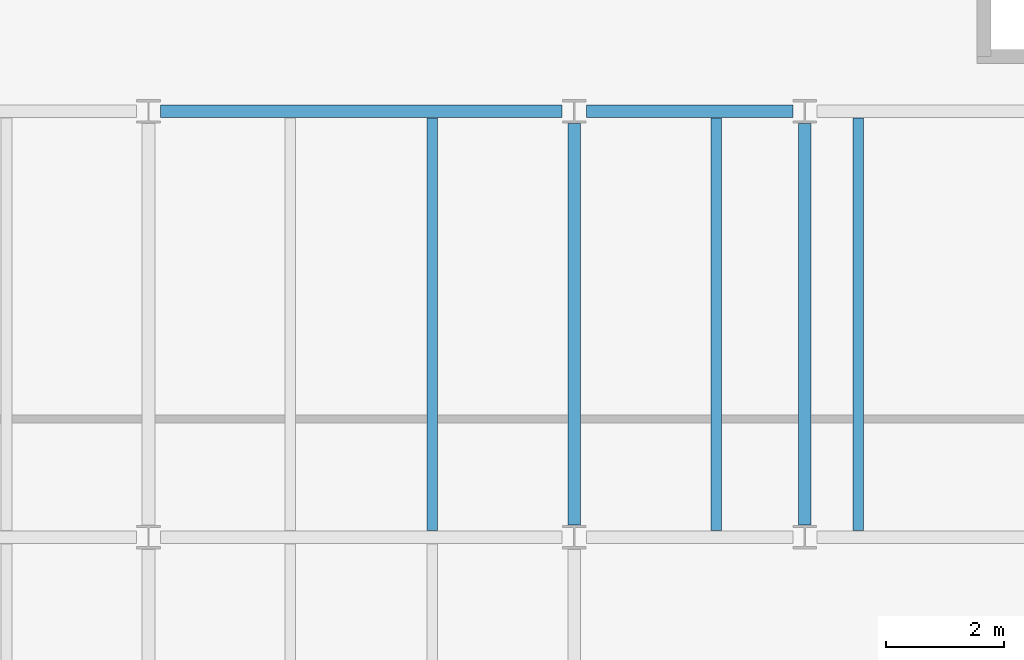
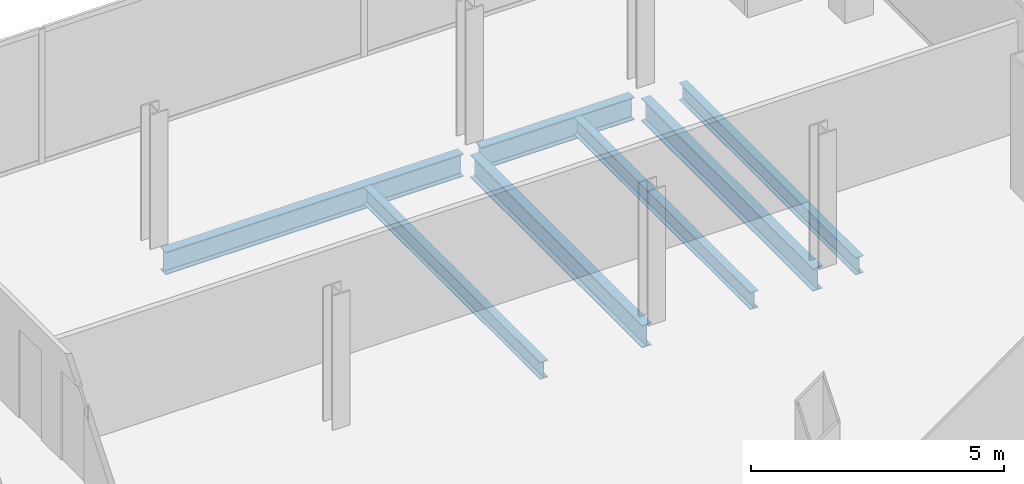
# One storey, part 15 of 23: 7 beams.
"""IFC4 building model written with IfcOpenShell, lengths in metres."""

from ifc_helpers import new_model, si_unit, direction, frame, origin, origin_2d, place, context, subcontext, project, spatial, i_section, extrude, material, material_profile, profile_set, type_object, element, save


model = new_model("IFC4")

# Units and contexts
model_context = context("Model", 3, precision=1e-05, world=origin(), true_north=direction((0.0, 1.0)))
body_context = subcontext(model_context, "Body", "Model", "MODEL_VIEW")
ifc_project = project(units=[si_unit("LENGTHUNIT", "METRE"), si_unit("AREAUNIT", "SQUARE_METRE"), si_unit("VOLUMEUNIT", "CUBIC_METRE"), si_unit("PLANEANGLEUNIT", "RADIAN"), si_unit("MASSUNIT", "GRAM", prefix="KILO")], contexts=[model_context])

# Site, building, storey
site_placement = place(None, origin())
site = spatial("IfcSite", under=ifc_project, at=site_placement, CompositionType="ELEMENT")
building_placement = place(site_placement, origin())
building = spatial("IfcBuilding", under=site, at=building_placement, Name="Cobrela Telecom Tower", CompositionType="ELEMENT")
storey_placement = place(building_placement, frame((0.0, 0.0, 258.64990234375)))
storey = spatial("IfcBuildingStorey", under=building, at=storey_placement, Name="L67", CompositionType="ELEMENT", Elevation=258.64990234375)

# Beams
ifc_material = material(Name="Steel ASTM A992 Grade 50", Category="steel")
ifc_material_profile_1 = material_profile(ifc_material, i_section(OverallWidth=0.212890625, OverallDepth=0.549072265625, WebThickness=0.0146484375, FlangeThickness=0.023681640625, FilletRadius=0.013916015625, at=origin_2d()), Name="W21X93")
ifc_profile_set_1 = profile_set([ifc_material_profile_1], Name="Steel ASTM A992 Grade 50")
beam_type_1 = type_object("IfcBeamType", Name="BM-GIRD-08", PredefinedType="USERDEFINED", material=ifc_profile_set_1)
beam_1_placement = place(storey_placement, frame((29.00439453125, 21.60009765625, -0.534423828125), z_axis=(1.0, 0.0, 0.0), x_axis=(0.0, 1.0, 0.0)))
element("IfcBeam", 1, at=beam_1_placement, inside=storey, type_object=beam_type_1, Name="L67 Primary Girder X12", ObjectType="GIRDER", PredefinedType="USERDEFINED", context=body_context, shape_type="SweptSolid", body=[
    extrude(i_section(OverallWidth=0.212890625, OverallDepth=0.549072265625, WebThickness=0.0146484375, FlangeThickness=0.023681640625, FilletRadius=0.013916015625, at=origin_2d()), origin(), (0.0, 0.0, 1.0), 6.791015625),
])
beam_2_placement = place(storey_placement, frame((36.20458984375, 21.60009765625, -0.534423828125), z_axis=(1.0, 0.0, 0.0), x_axis=(0.0, 1.0, 0.0)))
element("IfcBeam", 2, at=beam_2_placement, inside=storey, type_object=beam_type_1, Name="L67 Primary Girder X13", ObjectType="GIRDER", PredefinedType="USERDEFINED", context=body_context, shape_type="SweptSolid", body=[
    extrude(i_section(OverallWidth=0.212890625, OverallDepth=0.549072265625, WebThickness=0.0146484375, FlangeThickness=0.023681640625, FilletRadius=0.013916015625, at=origin_2d()), origin(), (0.0, 0.0, 1.0), 3.490966796875),
])
for number, where, z_axis, x_axis, name in (
    (3, (36.0, 14.6044921875, -0.534423828125), (0.0, 1.0, 0.0), (-1.0, 0.0, 0.0), "L67 Primary Girder Y32"),
    (4, (39.89990234375, 14.6044921875, -0.534423828125), (0.0, 1.0, 0.0), (-1.0, 0.0, 0.0), "L67 Primary Girder Y33"),
):
    element("IfcBeam", number, at=place(storey_placement, frame(where, z_axis=z_axis, x_axis=x_axis)), inside=storey, type_object=beam_type_1, Name=name, ObjectType="GIRDER", PredefinedType="USERDEFINED", context=body_context, shape_type="SweptSolid", body=[
        extrude(i_section(OverallWidth=0.212890625, OverallDepth=0.549072265625, WebThickness=0.0146484375, FlangeThickness=0.023681640625, FilletRadius=0.013916015625, at=origin_2d()), origin(), (0.0, 0.0, 1.0), 6.791015625),
    ])
ifc_material_profile_2 = material_profile(ifc_material, i_section(OverallWidth=0.179931640625, OverallDepth=0.4169921875, WebThickness=0.010986328125, FlangeThickness=0.01806640625, FilletRadius=0.011962890625, at=origin_2d()), Name="W16X57")
ifc_profile_set_2 = profile_set([ifc_material_profile_2], Name="Steel ASTM A992 Grade 50")
beam_type_2 = type_object("IfcBeamType", Name="BM-JOIST-04", PredefinedType="JOIST", material=ifc_profile_set_2)
for number, where, z_axis, x_axis, name in (
    (5, (33.60009765625, 14.511474609375, -0.468505859375), (0.0, 1.0, 0.0), (-1.0, 0.0, 0.0), "L67 Secondary Composite Floor Beam J14"),
    (6, (38.39990234375, 14.511474609375, -0.468505859375), (0.0, 1.0, 0.0), (-1.0, 0.0, 0.0), "L67 Secondary Composite Floor Beam J15"),
    (7, (40.800048828125, 14.511474609375, -0.468505859375), (0.0, 1.0, 0.0), (-1.0, 0.0, 0.0), "L67 Secondary Composite Floor Beam J16"),
):
    element("IfcBeam", number, at=place(storey_placement, frame(where, z_axis=z_axis, x_axis=x_axis)), inside=storey, type_object=beam_type_2, Name=name, PredefinedType="JOIST", context=body_context, shape_type="SweptSolid", body=[
        extrude(i_section(OverallWidth=0.179931640625, OverallDepth=0.4169921875, WebThickness=0.010986328125, FlangeThickness=0.01806640625, FilletRadius=0.011962890625, at=origin_2d()), origin(), (0.0, 0.0, 1.0), 6.97705078125),
    ])

save(model, "model.ifc")
